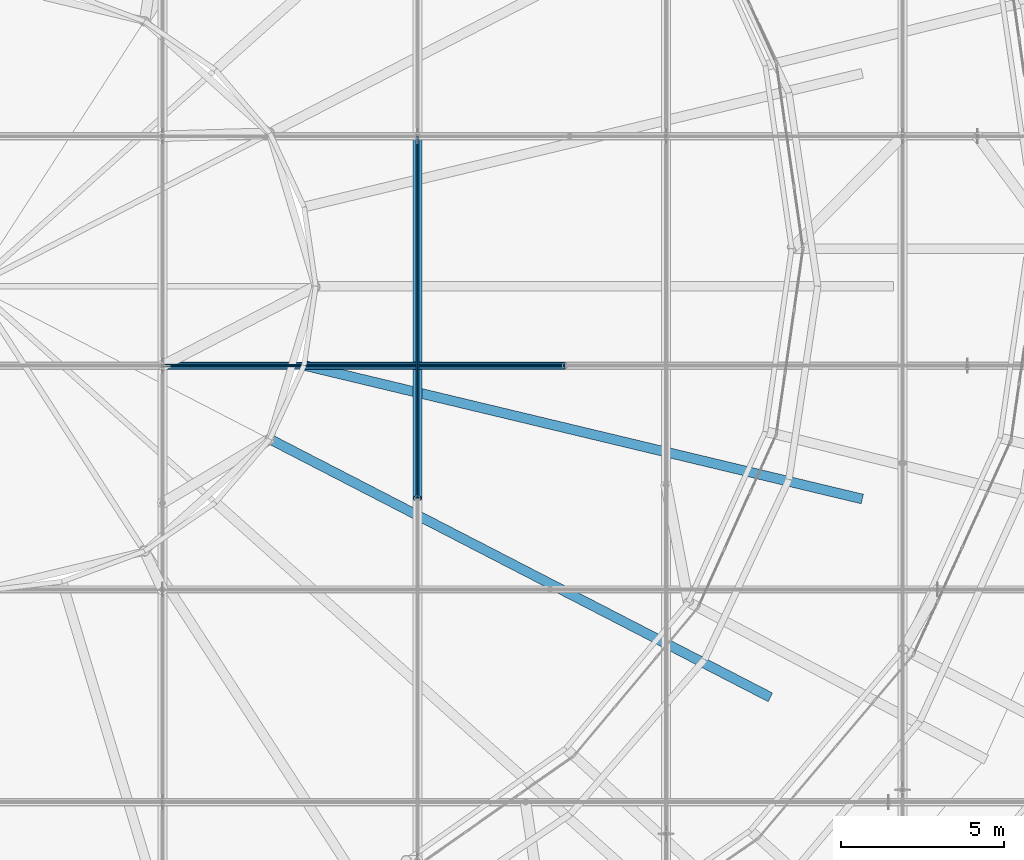
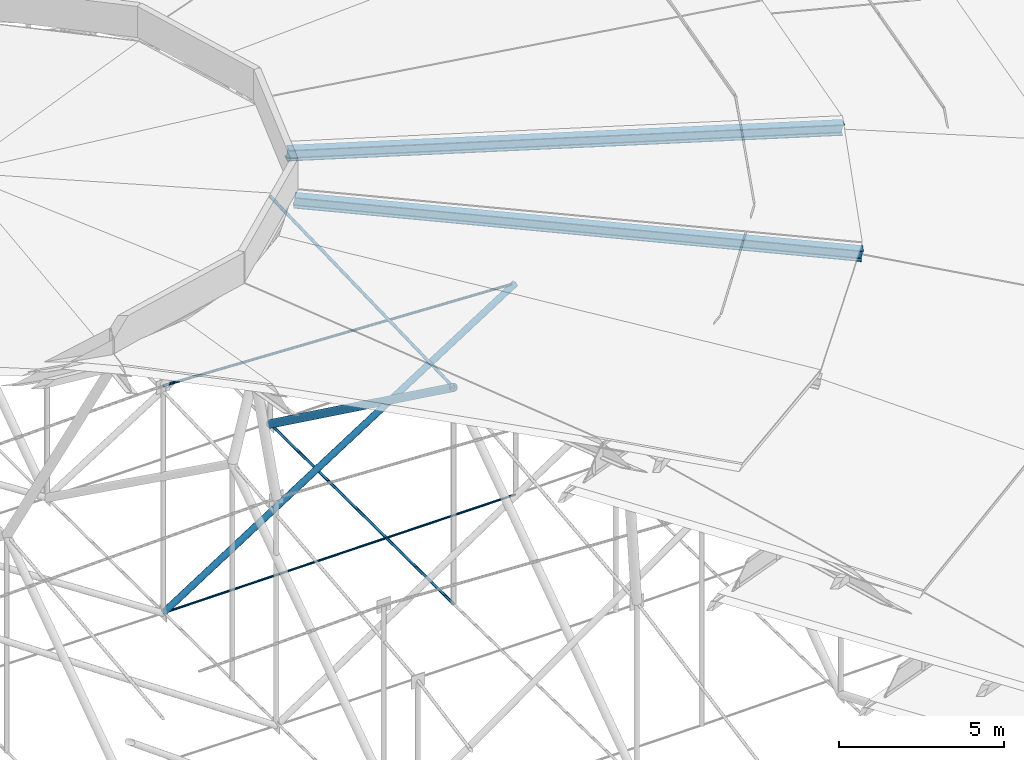
# One storey, part 58 of 173: 8 members.
"""IFC4 building model written with IfcOpenShell, lengths in metres."""

from ifc_helpers import new_model, si_unit, direction, frame, origin, origin_2d, place, context, subcontext, project, spatial, circle, hollow_circle, i_section, extrude, material, material_profile, profile_set, type_object, element, save


model = new_model("IFC4")

# Units and contexts
model_context = context("Model", 3, precision=1e-05, world=origin(), true_north=direction((0.0, 1.0)))
body_context = subcontext(model_context, "Body", "Model", "MODEL_VIEW")
ifc_project = project(units=[si_unit("LENGTHUNIT", "METRE"), si_unit("AREAUNIT", "SQUARE_METRE"), si_unit("VOLUMEUNIT", "CUBIC_METRE"), si_unit("PLANEANGLEUNIT", "RADIAN"), si_unit("MASSUNIT", "GRAM", prefix="KILO")], contexts=[model_context])

# Site, building, storey
site_placement = place(None, origin())
site = spatial("IfcSite", under=ifc_project, at=site_placement, CompositionType="ELEMENT")
building_placement = place(site_placement, origin())
building = spatial("IfcBuilding", under=site, at=building_placement, Name="Glasvene Arena", CompositionType="ELEMENT")
storey_placement = place(building_placement, frame((0.0, 0.0, 28.800048828125)))
storey = spatial("IfcBuildingStorey", under=building, at=storey_placement, Name="RF", CompositionType="ELEMENT", Elevation=28.800048828125)

# Members
ifc_material_1 = material(Name="High-strength steel spiral strand S460", Category="steel")
ifc_material_profile_1 = material_profile(ifc_material_1, circle(Radius=0.052490234375, at=origin_2d()), Name="LCSS D105")
ifc_profile_set_1 = profile_set([ifc_material_profile_1], Name="High-strength steel spiral strand S460")
member_type_1 = type_object("IfcMemberType", Name="MB-CABLE-105", PredefinedType="USERDEFINED", material=ifc_profile_set_1)
member_1_placement = place(storey_placement, frame((99.82177734375, 61.888427734375, 5.6904296875), z_axis=(0.0, 0.999560377256, 0.029648814829), x_axis=(-1.0, 0.0, 0.0)))
element("IfcMember", 1, at=member_1_placement, inside=storey, type_object=member_type_1, Name="Upper lens roof cable NS04-04", ObjectType="ROOF CABLE", PredefinedType="USERDEFINED", context=body_context, shape_type="SweptSolid", body=[
    extrude(circle(Radius=0.052490234375, at=origin_2d()), origin(), (0.0, 0.0, 1.0), 11.116455078125),
])
ifc_material_profile_2 = material_profile(ifc_material_1, circle(Radius=0.03759765625, at=origin_2d()), Name="LCSS D75")
ifc_profile_set_2 = profile_set([ifc_material_profile_2], Name="High-strength steel spiral strand S460")
member_type_2 = type_object("IfcMemberType", Name="MB-CABLE-75", PredefinedType="USERDEFINED", material=ifc_profile_set_2)
member_2_placement = place(storey_placement, frame((92.0, 65.96044921875, -2.400146484375), z_axis=(0.999982985584, 0.0, 0.005833398868), x_axis=(0.0, 1.0, 0.0)))
element("IfcMember", 2, at=member_2_placement, inside=storey, type_object=member_type_2, Name="Lower stabilization roof cable EW03-05", ObjectType="ROOF CABLE", PredefinedType="USERDEFINED", context=body_context, shape_type="SweptSolid", body=[
    extrude(circle(Radius=0.03759765625, at=origin_2d()), origin(), (0.0, 0.0, 1.0), 12.346435546875),
])
ifc_material_profile_3 = material_profile(ifc_material_1, circle(Radius=0.044921875, at=origin_2d()), Name="LCSS D90")
ifc_profile_set_3 = profile_set([ifc_material_profile_3], Name="High-strength steel spiral strand S460")
member_type_3 = type_object("IfcMemberType", Name="MB-CABLE-90", PredefinedType="USERDEFINED", material=ifc_profile_set_3)
member_3_placement = place(storey_placement, frame((99.82177734375, 61.888427734375, -2.328125), z_axis=(0.0, 0.999978994674, -0.00648152843), x_axis=(-1.0, 0.0, 0.0)))
element("IfcMember", 3, at=member_3_placement, inside=storey, type_object=member_type_3, Name="Lower stabilization roof cable NS04-04", ObjectType="ROOF CABLE", PredefinedType="USERDEFINED", context=body_context, shape_type="SweptSolid", body=[
    extrude(circle(Radius=0.044921875, at=origin_2d()), origin(), (0.0, 0.0, 1.0), 11.11181640625),
])
member_4_placement = place(storey_placement, frame((92.0, 65.96044921875, 6.02001953125), z_axis=(0.999111644499, 0.0, -0.042141687517), x_axis=(0.0, 1.0, 0.0)))
element("IfcMember", 4, at=member_4_placement, inside=storey, type_object=member_type_3, Name="Upper lens roof cable EW03-05", ObjectType="ROOF CABLE", PredefinedType="USERDEFINED", context=body_context, shape_type="SweptSolid", body=[
    extrude(circle(Radius=0.044921875, at=origin_2d()), origin(), (0.0, 0.0, 1.0), 12.357177734375),
])
ifc_material_2 = material(Name="Steel S355J2", Category="steel")
ifc_material_profile_4 = material_profile(ifc_material_2, i_section(OverallWidth=0.300048828125, OverallDepth=0.39990234375, WebThickness=0.013427734375, FlangeThickness=0.02392578125, FilletRadius=0.027099609375, at=origin_2d()), Name="HEB 400")
ifc_profile_set_4 = profile_set([ifc_material_profile_4], Name="Steel S355J2")
member_type_4 = type_object("IfcMemberType", Name="MB-CHORD-HEB400", PredefinedType="CHORD", material=ifc_profile_set_4)
member_5_placement = place(storey_placement, frame((110.621826171875, 55.800048828125, 10.550048828125), z_axis=(-0.879139743205, 0.4535720336, 0.146238579907), x_axis=(-0.458501219441, -0.888693778403, 0.0)))
element("IfcMember", 5, at=member_5_placement, inside=storey, type_object=member_type_4, Name="Petal ring 5 radial rib 23", PredefinedType="CHORD", context=body_context, shape_type="SweptSolid", body=[
    extrude(i_section(OverallWidth=0.300048828125, OverallDepth=0.39990234375, WebThickness=0.013427734375, FlangeThickness=0.02392578125, FilletRadius=0.027099609375, at=origin_2d()), origin(), (0.0, 0.0, 1.0), 17.43603515625),
])
member_6_placement = place(storey_placement, frame((113.439208984375, 61.877685546875, 10.550048828125), z_axis=(-0.962439625488, 0.230450065547, 0.14353652699), x_axis=(-0.232861340089, -0.972509946629, 0.0)))
element("IfcMember", 6, at=member_6_placement, inside=storey, type_object=member_type_4, Name="Petal ring 5 radial rib 24", PredefinedType="CHORD", context=body_context, shape_type="SweptSolid", body=[
    extrude(i_section(OverallWidth=0.300048828125, OverallDepth=0.39990234375, WebThickness=0.013427734375, FlangeThickness=0.02392578125, FilletRadius=0.027099609375, at=origin_2d()), origin(), (0.0, 0.0, 1.0), 17.76416015625),
])
ifc_material_profile_5 = material_profile(ifc_material_2, hollow_circle(Radius=0.109619140625, WallThickness=0.010009765625, at=origin_2d()), Name="CHS 219.1x10.0")
ifc_profile_set_5 = profile_set([ifc_material_profile_5], Name="Steel S355J2")
member_type_5 = type_object("IfcMemberType", Name="MB-WEB-CHS219", PredefinedType="BRACE", material=ifc_profile_set_5)
member_7_placement = place(storey_placement, frame((92.0, 65.96044921875, -2.400146484375), z_axis=(0.842337946098, 0.0, 0.538949705041), x_axis=(0.0, 1.0, 0.0)))
element("IfcMember", 7, at=member_7_placement, inside=storey, type_object=member_type_5, Name="Cable-truss diagonal web strut EW03-05", PredefinedType="BRACE", context=body_context, shape_type="SweptSolid", body=[
    extrude(hollow_circle(Radius=0.109619140625, WallThickness=0.010009765625, at=origin_2d()), origin(), (0.0, 0.0, 1.0), 14.656982421875),
])
ifc_material_profile_6 = material_profile(ifc_material_2, hollow_circle(Radius=0.136474609375, WallThickness=0.012451171875, at=origin_2d()), Name="CHS 273.0x12.5")
ifc_profile_set_6 = profile_set([ifc_material_profile_6], Name="Steel S355J2")
member_type_6 = type_object("IfcMemberType", Name="MB-WEB-CHS273", PredefinedType="BRACE", material=ifc_profile_set_6)
member_8_placement = place(storey_placement, frame((99.82177734375, 61.888427734375, 5.6904296875), z_axis=(0.0, 0.808409519913, -0.588620461855), x_axis=(-1.0, 0.0, 0.0)))
element("IfcMember", 8, at=member_8_placement, inside=storey, type_object=member_type_6, Name="Cable-truss diagonal web strut NS04-04", PredefinedType="BRACE", context=body_context, shape_type="SweptSolid", body=[
    extrude(hollow_circle(Radius=0.136474609375, WallThickness=0.012451171875, at=origin_2d()), origin(), (0.0, 0.0, 1.0), 13.744873046875),
])

save(model, "model.ifc")
